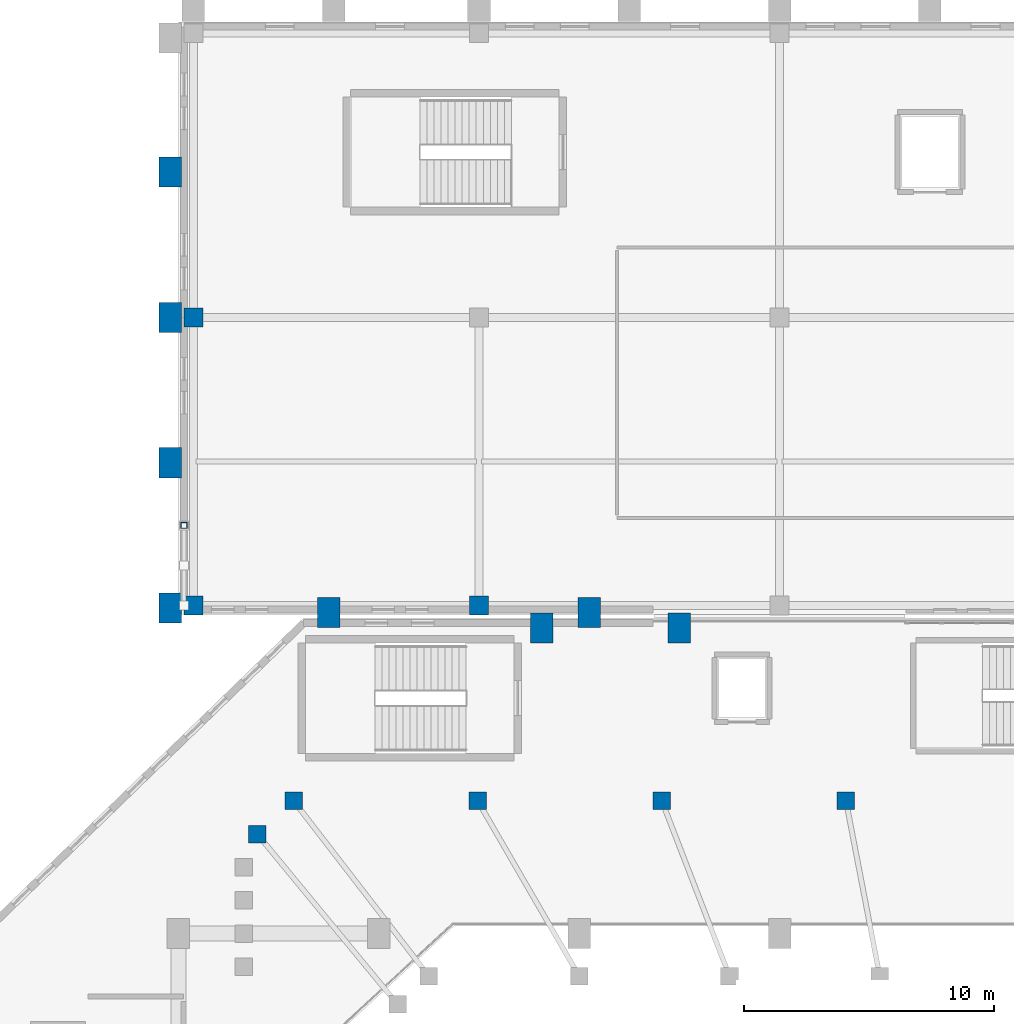
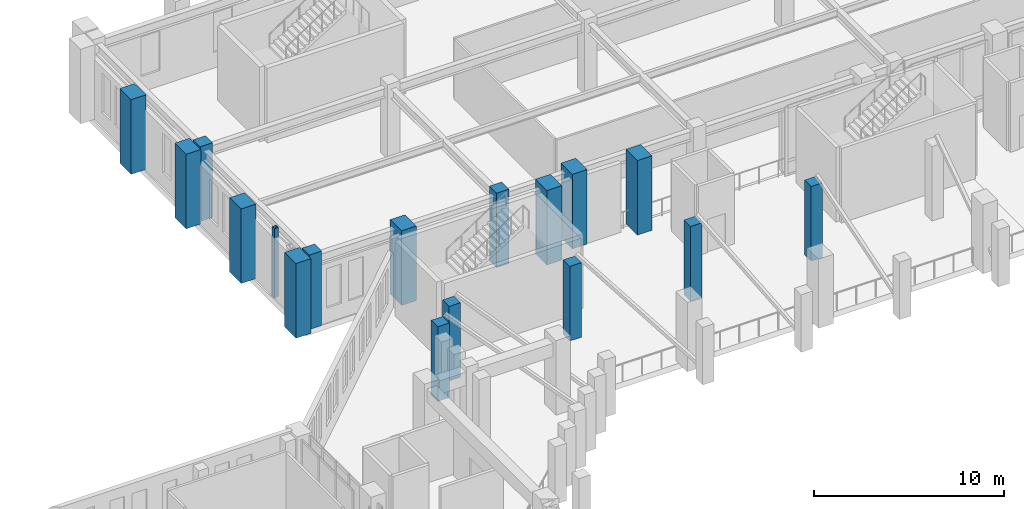
# One storey, part 2 of 126: 17 columns.
"""IFC4 building model written with IfcOpenShell, lengths in metres."""

import ifcopenshell
import ifcopenshell.guid

model = None  # the IFC model being written
_history = None  # IfcOwnerHistory: only IFC2X3 demands one
_inside = {}  # id of a spatial element -> (the spatial element, [elements in it])
_under = {}  # id of a project, library or spatial element -> (it, [spatial elements below it])
_declared = {}  # id of a project -> (the project, [libraries it declares])
_typed = {}  # id of a type object -> (the type object, [elements of that type])
_made_of = {}  # id of a material, layer set ... -> (it, [elements and type objects made of it])


def new_model(schema):
    """Start an empty IFC model of exactly this schema.

    Asked for "IFC4X3", IfcOpenShell would pick the latest addendum, in which some entities
    have other attributes; the version numbers below select the first issue.
    IFC2X3 requires an IfcOwnerHistory on every rooted entity: one is made here for all.
    """
    global model, _history
    if schema == "IFC4X3":
        model = ifcopenshell.file(schema_version=(4, 3, 0, 0))
    else:
        model = ifcopenshell.file(schema=schema)
    _inside.clear()
    _under.clear()
    _declared.clear()
    _typed.clear()
    _made_of.clear()
    _history = None
    if model.schema == "IFC2X3":
        org = make("IfcOrganization", Name="unknown")
        user = make(
            "IfcPersonAndOrganization",
            ThePerson=make("IfcPerson", FamilyName="unknown"),
            TheOrganization=org,
        )
        app = make(
            "IfcApplication",
            ApplicationDeveloper=org,
            Version="unknown",
            ApplicationFullName="unknown",
            ApplicationIdentifier="unknown",
        )
        _history = make(
            "IfcOwnerHistory",
            OwningUser=user,
            OwningApplication=app,
            ChangeAction="ADDED",
            CreationDate=0,
        )
    return model


def make(cls, **values):
    """One entity of the class cls with the attributes given. An attribute that is None is left unset."""
    return model.create_entity(
        cls, **{name: value for name, value in values.items() if value is not None}
    )


def rooted(cls, **values):
    """An entity with a GlobalId (a new one), such as an element, a storey or a relation."""
    return make(cls, GlobalId=ifcopenshell.guid.new(), OwnerHistory=_history, **values)


def si_unit(unit_type, name, prefix=None):
    """IfcSIUnit, for example si_unit("LENGTHUNIT", "METRE", prefix="MILLI")."""
    return make("IfcSIUnit", UnitType=unit_type, Prefix=prefix, Name=name)


def derived_unit(unit_type, elements):
    """IfcDerivedUnit: a product of units, each with its exponent."""
    return make(
        "IfcDerivedUnit",
        Elements=[
            make("IfcDerivedUnitElement", Unit=unit, Exponent=power)
            for unit, power in elements
        ],
        UnitType=unit_type,
    )


def assignment(units):
    """IfcUnitAssignment: the units of a project."""
    return None if units is None else make("IfcUnitAssignment", Units=units)


def point(xyz):
    """IfcCartesianPoint."""
    return None if xyz is None else make("IfcCartesianPoint", Coordinates=xyz)


def direction(xyz):
    """IfcDirection."""
    return None if xyz is None else make("IfcDirection", DirectionRatios=xyz)


def frame(location, z_axis=None, x_axis=None):
    """IfcAxis2Placement3D, a coordinate frame: its origin and axes. An axis left out is left unset."""
    return make(
        "IfcAxis2Placement3D",
        Location=point(location),
        Axis=direction(z_axis),
        RefDirection=direction(x_axis),
    )


def frame_2d(location, x_axis=None):
    """IfcAxis2Placement2D, a coordinate frame in the plane: its origin and x axis."""
    return make(
        "IfcAxis2Placement2D", Location=point(location), RefDirection=direction(x_axis)
    )


def origin():
    """The frame at (0, 0, 0) with its axes left unset."""
    return frame((0.0, 0.0, 0.0))


def origin_2d():
    """The frame at (0, 0) in the plane with its x axis left unset."""
    return frame_2d((0.0, 0.0))


def place(relative_to, where):
    """IfcLocalPlacement: puts the frame where relative to a parent placement (None: the world)."""
    return make(
        "IfcLocalPlacement", PlacementRelTo=relative_to, RelativePlacement=where
    )


def context(
    kind, dimensions, precision=None, world=None, true_north=None, identifier=None
):
    """IfcGeometricRepresentationContext, for example the 3D "Model" context."""
    return make(
        "IfcGeometricRepresentationContext",
        ContextIdentifier=identifier,
        ContextType=kind,
        CoordinateSpaceDimension=dimensions,
        Precision=precision,
        WorldCoordinateSystem=world,
        TrueNorth=true_north,
    )


def subcontext(parent, identifier, kind, view, scale=None):
    """IfcGeometricRepresentationSubContext, for example "Body" below "Model"."""
    return make(
        "IfcGeometricRepresentationSubContext",
        ContextIdentifier=identifier,
        ContextType=kind,
        ParentContext=parent,
        TargetScale=scale,
        TargetView=view,
    )


def project(units=None, contexts=None):
    """IfcProject with its units and contexts."""
    return rooted(
        "IfcProject",
        Name="project",
        RepresentationContexts=contexts,
        UnitsInContext=assignment(units),
    )


def spatial(cls, under=None, at=None, **own):
    """A site, building, storey or space (cls), placed at a placement, below another one or the project."""
    s = rooted(cls, ObjectPlacement=at, **own)
    if under is not None:
        _under.setdefault(under.id(), (under, []))[1].append(s)
    return s


def profile(cls, at=None, kind="AREA", **sizes):
    """A parametric profile (cls). Its sizes go by their IFC names, for example OverallWidth=200.0."""
    return make(cls, ProfileType=kind, Position=at, **sizes)


def rectangle(**sizes):
    """IfcRectangleProfileDef."""
    return profile("IfcRectangleProfileDef", **sizes)


def hollow_rectangle(**sizes):
    """IfcRectangleHollowProfileDef."""
    return profile("IfcRectangleHollowProfileDef", **sizes)


def extrude(swept, where, along, depth):
    """IfcExtrudedAreaSolid: the profile swept, set in the frame where, extruded along a direction by depth."""
    return make(
        "IfcExtrudedAreaSolid",
        SweptArea=swept,
        Position=where,
        ExtrudedDirection=direction(along),
        Depth=depth,
    )


def shape(context_of_items, identifier, shape_type, items):
    """IfcShapeRepresentation: the items that make up one representation, for example the "Body"."""
    return make(
        "IfcShapeRepresentation",
        ContextOfItems=context_of_items,
        RepresentationIdentifier=identifier,
        RepresentationType=shape_type,
        Items=items,
    )


def material(Name=None, Category=None):
    """IfcMaterial."""
    return make("IfcMaterial", Name=Name, Category=Category)


def material_profile(
    of_material, cross_section, Name=None, Category=None, Priority=None
):
    """IfcMaterialProfile: a cross section and its material."""
    return make(
        "IfcMaterialProfile",
        Name=Name,
        Material=of_material,
        Profile=cross_section,
        Priority=Priority,
        Category=Category,
    )


def profile_set(profiles, Name=None, composite=None):
    """IfcMaterialProfileSet."""
    return make(
        "IfcMaterialProfileSet",
        Name=Name,
        MaterialProfiles=profiles,
        CompositeProfile=composite,
    )


def made_of(thing, what):
    """Note that an element or type object is made of a material, layer set ...; save() writes the relation."""
    if what is not None:
        _made_of.setdefault(what.id(), (what, []))[1].append(thing)
    return thing


def type_object(cls, material=None, **own):
    """A type object (cls), such as IfcWallType, which elements share."""
    return made_of(rooted(cls, **own), material)


def element(
    cls,
    number,
    at=None,
    inside=None,
    cuts=None,
    type_object=None,
    material=None,
    context=None,
    identifier="Body",
    shape_type=None,
    held_by="IfcProductDefinitionShape",
    body=None,
    shapes=None,
    **own,
):
    """One element of the class cls, such as IfcWall. Its Tag is "e" and its number.

    at: its placement. inside: the storey or other place that contains it. cuts: it is an
    opening in that element (IfcRelVoidsElement). A single representation is given by context,
    identifier, shape_type and body (its items); several are given by shapes. held_by: the class
    of the entity that holds the representations. save() writes the other relations.
    """
    e = rooted(cls, Tag="e%d" % number, ObjectPlacement=at, **own)
    if body is not None:
        shapes = [shape(context, identifier, shape_type, body)]
    if shapes is not None:
        e.Representation = make(held_by, Representations=shapes)
    if inside is not None:
        _inside.setdefault(inside.id(), (inside, []))[1].append(e)
    if cuts is not None:
        rooted(
            "IfcRelVoidsElement", RelatingBuildingElement=cuts, RelatedOpeningElement=e
        )
    if type_object is not None:
        _typed.setdefault(type_object.id(), (type_object, []))[1].append(e)
    return made_of(e, material)


def aggregate(whole, parts):
    """IfcRelAggregates: a whole, such as a stair, and the parts it consists of."""
    return rooted("IfcRelAggregates", RelatingObject=whole, RelatedObjects=parts)


def save(model, path):
    """Write the relations noted so far, then the file.

    IfcRelAggregates (storeys below a building ...), IfcRelContainedInSpatialStructure (elements
    in a storey), IfcRelDefinesByType, IfcRelAssociatesMaterial and IfcRelDeclares: one each for
    every whole, place, type object, material and project.
    """
    for whole, parts in _under.values():
        aggregate(whole, parts)
    for where, things in _inside.values():
        rooted(
            "IfcRelContainedInSpatialStructure",
            RelatedElements=things,
            RelatingStructure=where,
        )
    for kind, things in _typed.values():
        rooted("IfcRelDefinesByType", RelatedObjects=things, RelatingType=kind)
    for what, things in _made_of.values():
        rooted("IfcRelAssociatesMaterial", RelatedObjects=things, RelatingMaterial=what)
    for by, libraries in _declared.values():
        rooted("IfcRelDeclares", RelatingContext=by, RelatedDefinitions=libraries)
    model.write(path)


model = new_model("IFC4")

# Units and contexts
model_context = context("Model", 3, precision=1e-05, world=origin(), true_north=direction((0.0, 1.0)))
body_context = subcontext(model_context, "Body", "Model", "MODEL_VIEW")
ifc_project = project(units=[si_unit("LENGTHUNIT", "METRE"), si_unit("AREAUNIT", "SQUARE_METRE"), si_unit("VOLUMEUNIT", "CUBIC_METRE"), si_unit("PLANEANGLEUNIT", "RADIAN"), si_unit("MASSUNIT", "GRAM", prefix="KILO"), derived_unit("THERMALTRANSMITTANCEUNIT", [(si_unit("MASSUNIT", "GRAM", prefix="KILO"), 1), (si_unit("TIMEUNIT", "SECOND"), -3), (si_unit("THERMODYNAMICTEMPERATUREUNIT", "KELVIN"), -1)])], contexts=[model_context])

# Site, building, storey
site_placement = place(None, origin())
site = spatial("IfcSite", under=ifc_project, at=site_placement, CompositionType="ELEMENT")
building_placement = place(site_placement, origin())
building = spatial("IfcBuilding", under=site, at=building_placement, Name="Valcora Ridge Arena", CompositionType="ELEMENT")
storey_placement = place(building_placement, frame((0.0, 0.0, 11.39990234375)))
storey = spatial("IfcBuildingStorey", under=building, at=storey_placement, Name="L02", CompositionType="ELEMENT", Elevation=11.39990234375)

# Columns
ifc_material_1 = material(Name="Bush-hammered Andean travertine architectural concrete C45/55", Category="masonry")
ifc_material_profile_1 = material_profile(ifc_material_1, rectangle(XDim=0.89990234375, YDim=1.199951171875, at=origin_2d()), Name="RC 900x1200")
ifc_profile_set_1 = profile_set([ifc_material_profile_1], Name="Bush-hammered Andean travertine architectural concrete C45/55")
column_type_1 = type_object("IfcColumnType", Name="TY-COLUMN-C-BUTT-1200", PredefinedType="PILASTER", material=ifc_profile_set_1)
for number, where, z_axis, x_axis, name in (
    (1, (38.5, 107.800048828125, 0.0), (0.0, 0.0, 1.0), (1.0, 0.0, 0.0), "C-BUTT-1200 COL-C-BUTT-1200-0020"),
    (2, (44.0, 107.800048828125, 0.0), (0.0, 0.0, 1.0), (1.0, 0.0, 0.0), "C-BUTT-1200 COL-C-BUTT-1200-0024"),
    (3, (23.679931640625, 108.60009765625, 0.0), (0.0, 0.0, 1.0), (1.0, 0.0, 0.0), "C-BUTT-1200 COL-C-BUTT-1200-0230"),
    (4, (23.679931640625, 114.39990234375, 0.0), (0.0, 0.0, 1.0), (1.0, 0.0, 0.0), "C-BUTT-1200 COL-C-BUTT-1200-0234"),
    (5, (23.679931640625, 120.199951171875, 0.0), (0.0, 0.0, 1.0), (1.0, 0.0, 0.0), "C-BUTT-1200 COL-C-BUTT-1200-0238"),
    (6, (23.679931640625, 126.0, 0.0), (0.0, 0.0, 1.0), (1.0, 0.0, 0.0), "C-BUTT-1200 COL-C-BUTT-1200-0242"),
    (7, (30.0, 108.419921875, 0.0), (0.0, 0.0, 1.0), (1.0, 0.0, 0.0), "C-BUTT-1200 COL-C-BUTT-1200-0330"),
    (8, (40.39990234375, 108.419921875, 0.0), (0.0, 0.0, 1.0), (1.0, 0.0, 0.0), "C-BUTT-1200 COL-C-BUTT-1200-0334"),
):
    element("IfcColumn", number, at=place(storey_placement, frame(where, z_axis=z_axis, x_axis=x_axis)), inside=storey, type_object=column_type_1, Name=name, PredefinedType="PILASTER", context=body_context, shape_type="SweptSolid", body=[
        extrude(rectangle(XDim=0.89990234375, YDim=1.199951171875, at=origin_2d()), origin(), (0.0, 0.0, 1.0), 4.800048828125),
    ])
ifc_material_2 = material(Name="Steel ASTM A500 Grade C", Category="steel")
ifc_material_profile_2 = material_profile(ifc_material_2, hollow_rectangle(XDim=0.25, YDim=0.25, WallThickness=0.012451171875, at=origin_2d()), Name="HSS250X250X12")
ifc_profile_set_2 = profile_set([ifc_material_profile_2], Name="Steel ASTM A500 Grade C")
column_type_2 = type_object("IfcColumnType", Name="TY-COLUMN-C-CBF250", PredefinedType="COLUMN", material=ifc_profile_set_2)
column_placement = place(storey_placement, frame((24.219970703125, 111.89990234375, 0.0), z_axis=(0.0, 0.0, 1.0), x_axis=(1.0, 0.0, 0.0)))
element("IfcColumn", 9, at=column_placement, inside=storey, type_object=column_type_2, Name="C-CBF250 COL-CBF-C-CBF250-0016", PredefinedType="COLUMN", context=body_context, shape_type="SweptSolid", body=[
    extrude(hollow_rectangle(XDim=0.25, YDim=0.25, WallThickness=0.012451171875, at=origin_2d()), origin(), (0.0, 0.0, 1.0), 4.4501953125),
])
ifc_material_3 = material(Name="Concrete C40/50", Category="concrete")
ifc_material_profile_3 = material_profile(ifc_material_3, rectangle(XDim=0.75, YDim=0.75, at=origin_2d()), Name="RC 750x750")
ifc_profile_set_3 = profile_set([ifc_material_profile_3], Name="Concrete C40/50")
column_type_3 = type_object("IfcColumnType", Name="TY-COLUMN-C-RC750", PredefinedType="COLUMN", material=ifc_profile_set_3)
for number, where, z_axis, x_axis, name in (
    (10, (24.60009765625, 108.699951171875, 0.0), (0.0, 0.0, 1.0), (1.0, 0.0, 0.0), "C-RC750 COL-C-RC750-0001"),
    (11, (24.60009765625, 120.199951171875, 0.0), (0.0, 0.0, 1.0), (1.0, 0.0, 0.0), "C-RC750 COL-C-RC750-0003"),
    (12, (36.0, 108.699951171875, 0.0), (0.0, 0.0, 1.0), (1.0, 0.0, 0.0), "C-RC750 COL-C-RC750-0007"),
):
    element("IfcColumn", number, at=place(storey_placement, frame(where, z_axis=z_axis, x_axis=x_axis)), inside=storey, type_object=column_type_3, Name=name, PredefinedType="COLUMN", context=body_context, shape_type="SweptSolid", body=[
        extrude(rectangle(XDim=0.75, YDim=0.75, at=origin_2d()), origin(), (0.0, 0.0, 1.0), 4.800048828125),
    ])
ifc_material_profile_4 = material_profile(ifc_material_3, rectangle(XDim=0.699951171875, YDim=0.699951171875, at=origin_2d()), Name="RC 700x700")
ifc_profile_set_4 = profile_set([ifc_material_profile_4], Name="Concrete C40/50")
column_type_4 = type_object("IfcColumnType", Name="TY-COLUMN-C-RKRU700B", PredefinedType="COLUMN", material=ifc_profile_set_4)
for number, where, z_axis, x_axis, name in (
    (13, (50.64990234375, 100.89990234375, 0.0), (0.0, 0.0, 1.0), (1.0, 0.0, 0.0), "C-RKRU700B COL-RK-C-RKRU700B-0179"),
    (14, (43.300048828125, 100.89990234375, 0.0), (0.0, 0.0, 1.0), (1.0, 0.0, 0.0), "C-RKRU700B COL-RK-C-RKRU700B-0184"),
    (15, (35.949951171875, 100.89990234375, 0.0), (0.0, 0.0, 1.0), (1.0, 0.0, 0.0), "C-RKRU700B COL-RK-C-RKRU700B-0189"),
    (16, (28.60009765625, 100.89990234375, 0.0), (0.0, 0.0, 1.0), (1.0, 0.0, 0.0), "C-RKRU700B COL-RK-C-RKRU700B-0194"),
    (17, (27.14990234375, 99.574951171875, 0.0), (0.0, 0.0, 1.0), (1.0, 0.0, 0.0), "C-RKRU700B COL-RK-C-RKRU700B-0199"),
):
    element("IfcColumn", number, at=place(storey_placement, frame(where, z_axis=z_axis, x_axis=x_axis)), inside=storey, type_object=column_type_4, Name=name, PredefinedType="COLUMN", context=body_context, shape_type="SweptSolid", body=[
        extrude(rectangle(XDim=0.699951171875, YDim=0.699951171875, at=origin_2d()), origin(), (0.0, 0.0, 1.0), 4.800048828125),
    ])

save(model, "model.ifc")
